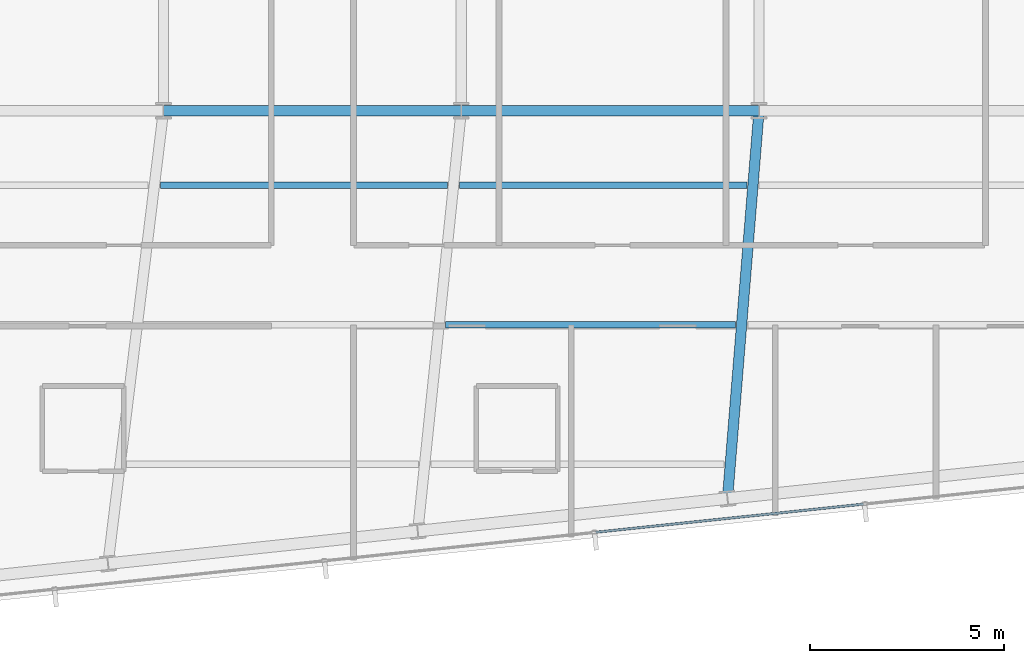
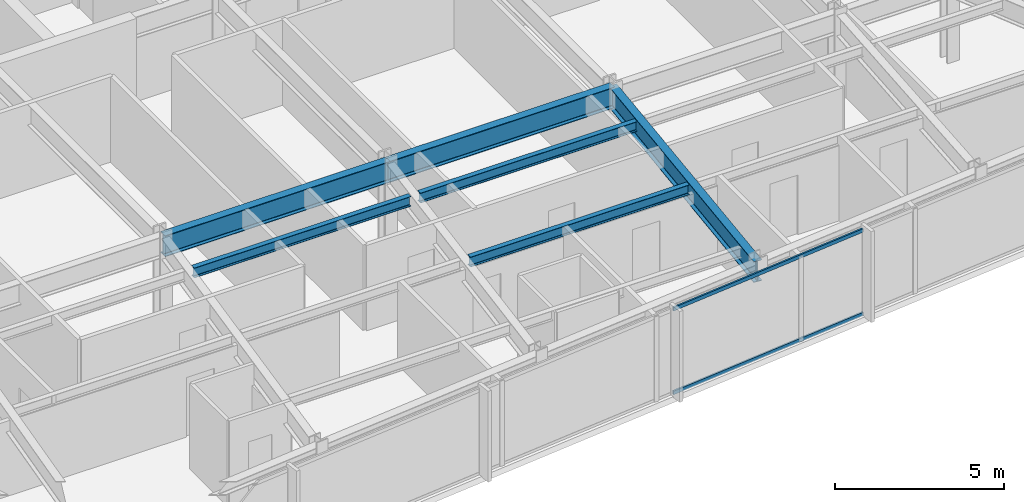
# One storey, part 9 of 32: 6 beams, 2 members, 1 element without a shape of its own.
"""IFC4 building model written with IfcOpenShell, lengths in metres."""

from ifc_helpers import new_model, si_unit, direction, frame, origin, origin_2d, place, context, subcontext, project, spatial, hollow_rectangle, i_section, extrude, material, material_profile, profile_set, type_object, element, aggregate, save


model = new_model("IFC4")

# Units and contexts
model_context = context("Model", 3, precision=1e-05, world=origin(), true_north=direction((0.0, 1.0)))
body_context = subcontext(model_context, "Body", "Model", "MODEL_VIEW")
ifc_project = project(units=[si_unit("LENGTHUNIT", "METRE"), si_unit("AREAUNIT", "SQUARE_METRE"), si_unit("VOLUMEUNIT", "CUBIC_METRE"), si_unit("PLANEANGLEUNIT", "RADIAN"), si_unit("MASSUNIT", "GRAM", prefix="KILO")], contexts=[model_context])

# Site, building, storey
site_placement = place(None, origin())
site = spatial("IfcSite", under=ifc_project, at=site_placement, CompositionType="ELEMENT")
building_placement = place(site_placement, origin())
building = spatial("IfcBuilding", under=site, at=building_placement, Name="Yelkora Congress Tower", CompositionType="ELEMENT")
storey_placement = place(building_placement, frame((0.0, 0.0, 217.699951171875)))
storey = spatial("IfcBuildingStorey", under=building, at=storey_placement, Name="L60", CompositionType="ELEMENT", Elevation=217.699951171875)

# Beams
ifc_material_1 = material(Name="Steel S355J2", Category="steel")
ifc_material_profile_1 = material_profile(ifc_material_1, i_section(OverallWidth=0.26708984375, OverallDepth=0.761962890625, WebThickness=0.014404296875, FlangeThickness=0.021484375, FilletRadius=0.01708984375, at=origin_2d()), Name="IPE 750x173")
ifc_profile_set_1 = profile_set([ifc_material_profile_1], Name="Steel S355J2")
beam_type_1 = type_object("IfcBeamType", Name="BM-GIRD-IPE750", PredefinedType="BEAM", material=ifc_profile_set_1)
beam_1_placement = place(storey_placement, frame((30.719970703125, 25.199951171875, 2.698974609375), z_axis=(1.0, 0.0, 0.0), x_axis=(0.0, 1.0, 0.0)))
element("IfcBeam", 1, at=beam_1_placement, inside=storey, type_object=beam_type_1, Name="L60 Spine Grid D Girder 3", PredefinedType="BEAM", context=body_context, shape_type="SweptSolid", body=[
    extrude(i_section(OverallWidth=0.26708984375, OverallDepth=0.761962890625, WebThickness=0.014404296875, FlangeThickness=0.021484375, FilletRadius=0.01708984375, at=origin_2d()), origin(), (0.0, 0.0, 1.0), 7.679931640625),
])
beam_2_placement = place(storey_placement, frame((38.39990234375, 25.199951171875, 2.698974609375), z_axis=(1.0, 0.0, 0.0), x_axis=(0.0, 1.0, 0.0)))
element("IfcBeam", 2, at=beam_2_placement, inside=storey, type_object=beam_type_1, Name="L60 Spine Grid D Girder 4", PredefinedType="BEAM", context=body_context, shape_type="SweptSolid", body=[
    extrude(i_section(OverallWidth=0.26708984375, OverallDepth=0.761962890625, WebThickness=0.014404296875, FlangeThickness=0.021484375, FilletRadius=0.01708984375, at=origin_2d()), origin(), (0.0, 0.0, 1.0), 7.68017578125),
])
beam_3_placement = place(storey_placement, frame((45.26708984375, 15.197509765625, 2.698974609375), z_axis=(0.081011831965, 0.996713139816, 0.0), x_axis=(-0.996713139816, 0.081011831965, 0.0)))
element("IfcBeam", 3, at=beam_3_placement, inside=storey, type_object=beam_type_1, Name="L60 Primary Frame Girder S04", PredefinedType="BEAM", context=body_context, shape_type="SweptSolid", body=[
    extrude(i_section(OverallWidth=0.26708984375, OverallDepth=0.761962890625, WebThickness=0.014404296875, FlangeThickness=0.021484375, FilletRadius=0.01708984375, at=origin_2d()), origin(), (0.0, 0.0, 1.0), 10.035400390625),
])
ifc_material_profile_2 = material_profile(ifc_material_1, i_section(OverallWidth=0.169921875, OverallDepth=0.360107421875, WebThickness=0.008056640625, FlangeThickness=0.0126953125, FilletRadius=0.01806640625, at=origin_2d()), Name="IPE 360")
ifc_profile_set_2 = profile_set([ifc_material_profile_2], Name="Steel S355J2")
beam_type_2 = type_object("IfcBeamType", Name="BM-JOIST-IPE360", PredefinedType="JOIST", material=ifc_profile_set_2)
beam_4_placement = place(storey_placement, frame((37.988525390625, 19.678466796875, 2.900146484375), z_axis=(1.0, 0.0, 0.0), x_axis=(0.0, 1.0, 0.0)))
element("IfcBeam", 4, at=beam_4_placement, inside=storey, type_object=beam_type_2, Name="L60 Composite Floor Joist 5", PredefinedType="JOIST", context=body_context, shape_type="SweptSolid", body=[
    extrude(i_section(OverallWidth=0.169921875, OverallDepth=0.360107421875, WebThickness=0.008056640625, FlangeThickness=0.0126953125, FilletRadius=0.01806640625, at=origin_2d()), origin(), (0.0, 0.0, 1.0), 7.482666015625),
])
beam_5_placement = place(storey_placement, frame((30.64453125, 23.278564453125, 2.900146484375), z_axis=(1.0, 0.0, 0.0), x_axis=(0.0, 1.0, 0.0)))
element("IfcBeam", 5, at=beam_5_placement, inside=storey, type_object=beam_type_2, Name="L60 Composite Floor Joist 10", PredefinedType="JOIST", context=body_context, shape_type="SweptSolid", body=[
    extrude(i_section(OverallWidth=0.169921875, OverallDepth=0.360107421875, WebThickness=0.008056640625, FlangeThickness=0.0126953125, FilletRadius=0.01806640625, at=origin_2d()), origin(), (0.0, 0.0, 1.0), 7.396484375),
])
beam_6_placement = place(storey_placement, frame((38.361083984375, 23.278564453125, 2.900146484375), z_axis=(1.0, 0.0, 0.0), x_axis=(0.0, 1.0, 0.0)))
element("IfcBeam", 6, at=beam_6_placement, inside=storey, type_object=beam_type_2, Name="L60 Composite Floor Joist 11", PredefinedType="JOIST", context=body_context, shape_type="SweptSolid", body=[
    extrude(i_section(OverallWidth=0.169921875, OverallDepth=0.360107421875, WebThickness=0.008056640625, FlangeThickness=0.0126953125, FilletRadius=0.01806640625, at=origin_2d()), origin(), (0.0, 0.0, 1.0), 7.40283203125),
])

# Curtain wall, members
ifc_material_2 = material(Name="Anodised aluminium and insulated glass", Category="aluminium")
curtain_wall_type = type_object("IfcCurtainWallType", Name="CW-SYS-B4", PredefinedType="NOTDEFINED", material=ifc_material_2)
curtain_wall_placement = place(storey_placement, origin())
curtain_wall = element("IfcCurtainWall", 7, at=curtain_wall_placement, inside=storey, type_object=curtain_wall_type, Name="L60 Unitised Curtain Wall 20", PredefinedType="NOTDEFINED")
ifc_material_3 = material(Name="Anodised aluminium 6063-T6", Category="aluminium")
ifc_material_profile_3 = material_profile(ifc_material_3, hollow_rectangle(XDim=0.06005859375, YDim=0.1298828125, WallThickness=0.00390625, at=origin_2d()), Name="ALU 60x130x4")
ifc_profile_set_3 = profile_set([ifc_material_profile_3], Name="Anodised aluminium 6063-T6")
member_type = type_object("IfcMemberType", Name="MEM-TR-B4", PredefinedType="USERDEFINED", material=ifc_profile_set_3)
member_1_placement = place(storey_placement, frame((48.770263671875, 15.052978515625, 0.030029296875), z_axis=(-0.99452356298, -0.104512595784, 0.0), x_axis=(0.104512595784, -0.99452356298, 0.0)))
member_1 = element("IfcMember", 8, at=member_1_placement, type_object=member_type, Name="CW-B4 transom 4.1", ObjectType="TRANSOM", PredefinedType="USERDEFINED", context=body_context, shape_type="SweptSolid", body=[
    extrude(hollow_rectangle(XDim=0.06005859375, YDim=0.1298828125, WallThickness=0.00390625, at=origin_2d()), origin(), (0.0, 0.0, 1.0), 6.93798828125),
])
member_2_placement = place(storey_placement, frame((48.770263671875, 15.052978515625, 3.050048828125), z_axis=(-0.99452356298, -0.104512595784, 0.0), x_axis=(0.104512595784, -0.99452356298, 0.0)))
member_2 = element("IfcMember", 9, at=member_2_placement, type_object=member_type, Name="CW-B4 transom 4.2", ObjectType="TRANSOM", PredefinedType="USERDEFINED", context=body_context, shape_type="SweptSolid", body=[
    extrude(hollow_rectangle(XDim=0.06005859375, YDim=0.1298828125, WallThickness=0.00390625, at=origin_2d()), origin(), (0.0, 0.0, 1.0), 6.93798828125),
])
aggregate(curtain_wall, [member_1, member_2])

save(model, "model.ifc")
